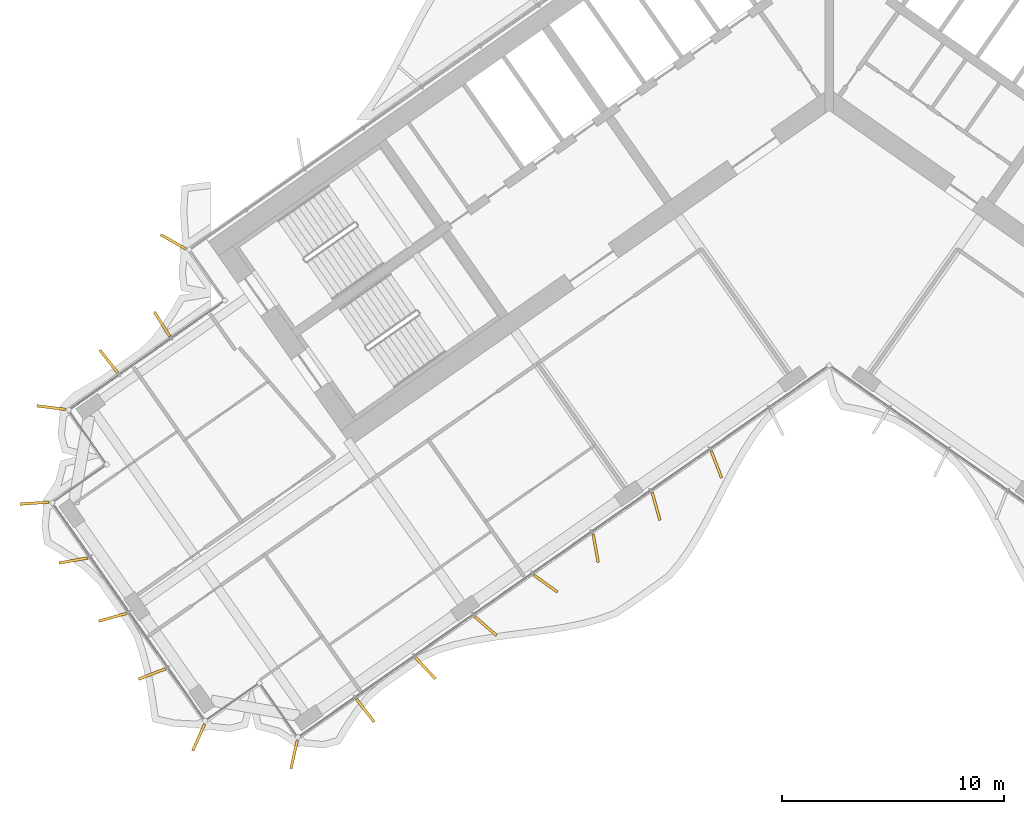
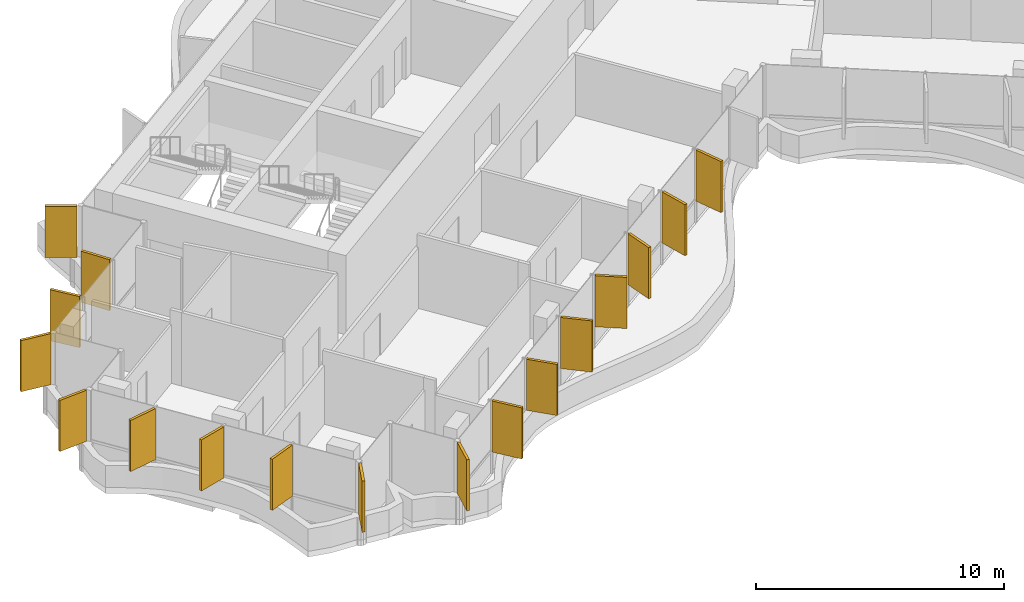
# One storey, part 17 of 21: 17 shading devices.
"""IFC4 building model written with IfcOpenShell, lengths in metres."""

from ifc_helpers import new_model, si_unit, direction, frame, origin, origin_2d, place, context, subcontext, project, spatial, rectangle, extrude, material, layer, layer_set, type_object, element, save


model = new_model("IFC4")

# Units and contexts
model_context = context("Model", 3, precision=1e-05, world=origin(), true_north=direction((0.0, 1.0)))
body_context = subcontext(model_context, "Body", "Model", "MODEL_VIEW")
ifc_project = project(units=[si_unit("LENGTHUNIT", "METRE"), si_unit("AREAUNIT", "SQUARE_METRE"), si_unit("VOLUMEUNIT", "CUBIC_METRE"), si_unit("PLANEANGLEUNIT", "RADIAN"), si_unit("MASSUNIT", "GRAM", prefix="KILO")], contexts=[model_context])

# Site, building, storey
site_placement = place(None, origin())
site = spatial("IfcSite", under=ifc_project, at=site_placement, CompositionType="ELEMENT")
building_placement = place(site_placement, origin())
building = spatial("IfcBuilding", under=site, at=building_placement, Name="Tel Ilan Convention Tower", CompositionType="ELEMENT")
storey_placement = place(building_placement, frame((0.0, 0.0, 206.10009765625)))
storey = spatial("IfcBuildingStorey", under=building, at=storey_placement, Name="L48", CompositionType="ELEMENT", Elevation=206.10009765625)

# Shading devices
ifc_material = material(Name="Aluminium, bronze anodised", Category="aluminium")
ifc_layer = layer(ifc_material, 0.1201171875)
ifc_layer_set = layer_set([ifc_layer], Name="FIN BRONZE 1300x120")
shading_device_type = type_object("IfcShadingDeviceType", Name="FIN BRONZE 1300x120", PredefinedType="USERDEFINED", material=ifc_layer_set)
for number, where, z_axis, x_axis, name in (
    (1, (-29.5439453125, -7.13623046875, 1.099853515625), (0.0, 0.0, 1.0), (-0.870832754082, 0.491579408049, 0.0), "FIN"),
    (2, (-30.049072265625, -10.844970703125, 1.099853515625), (0.0, 0.0, 1.0), (-0.533204432798, 0.845986425922, 0.0), "FIN"),
    (3, (-32.44873046875, -12.525390625, 1.099853515625), (0.0, 0.0, 1.0), (-0.612600545196, 0.790392669516, 0.0), "FIN"),
    (4, (-35.044677734375, -14.603271484375, 1.099853515625), (0.0, 0.0, 1.0), (-0.992066016082, 0.125718016748, 0.0), "FIN"),
    (5, (-35.79638671875, -18.9052734375, 1.099853515625), (0.0, 0.0, 1.0), (-0.997697449973, -0.067821812994, 0.0), "FIN"),
    (6, (-34.04541015625, -21.4892578125, 1.099853515625), (0.0, 0.0, 1.0), (-0.984807753012, -0.173648177667, 0.0), "FIN"),
    (7, (-32.277587890625, -24.0458984375, 1.099853515625), (0.0, 0.0, 1.0), (-0.963370878614, -0.268172612768, 0.0), "FIN"),
    (8, (-30.503662109375, -26.600830078125, 1.099853515625), (0.0, 0.0, 1.0), (-0.932883704733, -0.360177724803, 0.0), "FIN"),
    (9, (-28.40234375, -29.46533203125, 1.099853515625), (0.0, 0.0, 1.0), (-0.404964282034, -0.914332505315, 0.0), "FIN"),
    (10, (-24.1025390625, -30.230224609375, 1.099853515625), (0.0, 0.0, 1.0), (-0.221170268371, -0.975235208752, 0.0), "FIN"),
    (11, (-20.896728515625, -28.245849609375, 1.099853515625), (0.0, 0.0, 1.0), (0.612600545196, -0.790392669516, 0.0), "FIN"),
    (12, (-18.18359375, -26.345458984375, 1.099853515625), (0.0, 0.0, 1.0), (0.686241637865, -0.727373641577, 0.0), "FIN"),
    (13, (-15.474609375, -24.44091796875, 1.099853515625), (0.0, 0.0, 1.0), (0.753435896329, -0.657521368568, 0.0), "FIN"),
    (14, (-12.770263671875, -22.531982421875, 1.099853515625), (0.0, 0.0, 1.0), (0.813552070258, -0.581492071294, 0.0), "FIN"),
    (15, (-10.52099609375, -20.9345703125, 1.099853515625), (0.0, 0.0, 1.0), (0.173648177667, -0.984807753012, 0.0), "FIN"),
    (16, (-7.800537109375, -19.05224609375, 1.099853515625), (0.0, 0.0, 1.0), (0.268172612768, -0.963370878614, 0.0), "FIN"),
    (17, (-5.08203125, -17.163818359375, 1.099853515625), (0.0, 0.0, 1.0), (0.360177724803, -0.932883704733, 0.0), "FIN"),
):
    element("IfcShadingDevice", number, at=place(storey_placement, frame(where, z_axis=z_axis, x_axis=x_axis)), inside=storey, type_object=shading_device_type, Name=name, ObjectType="FIN", PredefinedType="USERDEFINED", context=body_context, shape_type="SweptSolid", body=[
        extrude(rectangle(XDim=1.300048828125, YDim=0.1201171875, at=origin_2d()), origin(), (0.0, 0.0, 1.0), 2.52001953125),
    ])

save(model, "model.ifc")
